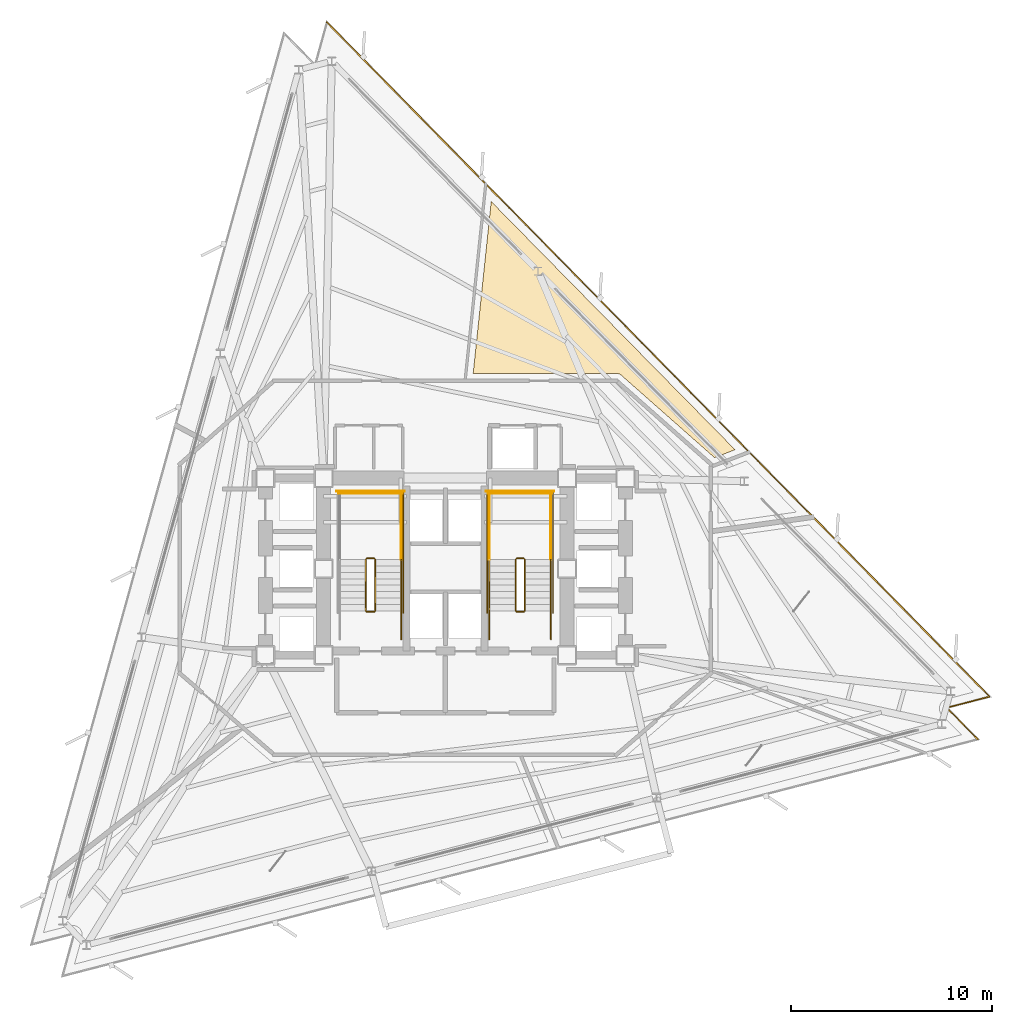
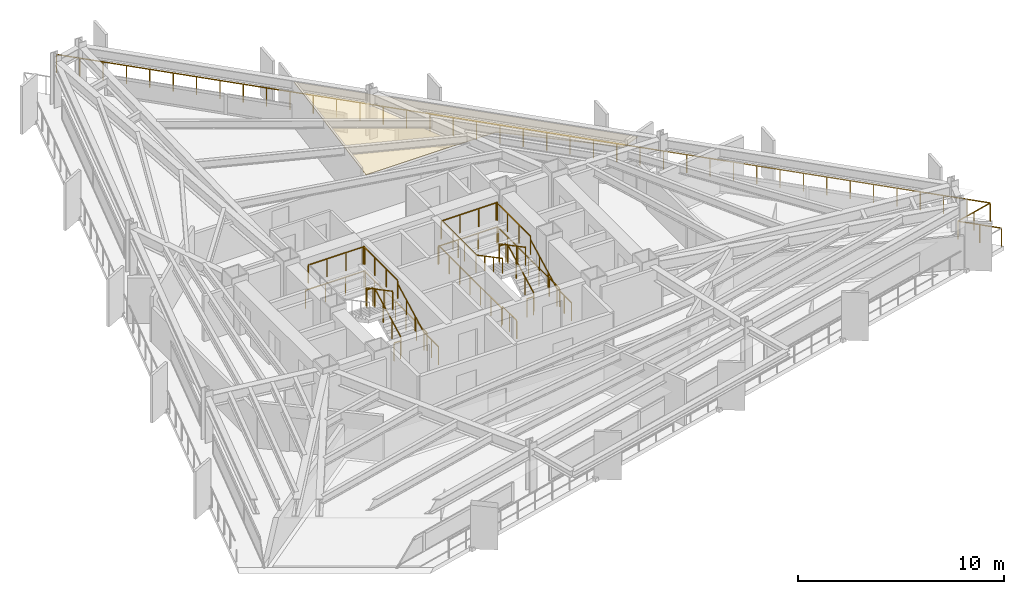
# One storey, part 10 of 11: 25 railings, 1 covering.
"""IFC4 building model written with IfcOpenShell, lengths in metres."""

from ifc_helpers import new_model, si_unit, direction, frame, origin, origin_2d, place, context, subcontext, project, spatial, polyline, rectangle, outline, extrude, material, layer, layer_set, type_object, element, save


model = new_model("IFC4")

# Units and contexts
model_context = context("Model", 3, precision=1e-05, world=origin(), true_north=direction((0.0, 1.0)))
body_context = subcontext(model_context, "Body", "Model", "MODEL_VIEW")
ifc_project = project(units=[si_unit("LENGTHUNIT", "METRE"), si_unit("AREAUNIT", "SQUARE_METRE"), si_unit("VOLUMEUNIT", "CUBIC_METRE"), si_unit("PLANEANGLEUNIT", "RADIAN"), si_unit("MASSUNIT", "GRAM", prefix="KILO")], contexts=[model_context])

# Site, building, storey
site_placement = place(None, origin())
site = spatial("IfcSite", under=ifc_project, at=site_placement, CompositionType="ELEMENT")
building_placement = place(site_placement, origin())
building = spatial("IfcBuilding", under=site, at=building_placement, Name="Rocaltana Carrier Exchange", CompositionType="ELEMENT")
storey_placement = place(building_placement, frame((0.0, 0.0, 97.760009765625)))
storey = spatial("IfcBuildingStorey", under=building, at=storey_placement, Name="L30", CompositionType="ELEMENT", Elevation=97.760009765625)

# Covering
ifc_material_1 = material(Name="Mineral Fibre & Powder-Coated Aluminium", Category="aluminium")
ifc_layer_1 = layer(ifc_material_1, 0.044921875)
ifc_layer_set_1 = layer_set([ifc_layer_1], Name="Mineral Fibre & Powder-Coated Aluminium")
covering_type = type_object("IfcCoveringType", Name="Micro-Perforated Acoustic Ceiling 45", PredefinedType="CEILING", material=ifc_layer_set_1)
covering_placement = place(storey_placement, frame((0.0, 0.0, 1.94287109375)))
element("IfcCovering", 1, at=covering_placement, inside=storey, type_object=covering_type, Name="L30 Network Engineering Studio Acoustic Ceiling", PredefinedType="CEILING", context=body_context, shape_type="SweptSolid", body=[
    extrude(outline(polyline([(13.379638671875, 5.521484375), (8.73828125, 9.619873046875), (8.727294921875, 9.629150390625), (8.720703125, 9.63427734375), (8.697265625, 9.651123046875), (8.690185546875, 9.655517578125), (8.6650390625, 9.669921875), (8.65771484375, 9.673583984375), (8.631103515625, 9.68505859375), (8.62353515625, 9.68798828125), (8.595947265625, 9.697021484375), (8.587890625, 9.698974609375), (8.5595703125, 9.704833984375), (8.551513671875, 9.706298828125), (8.522705078125, 9.709228515625), (8.514404296875, 9.709716796875), (8.5, 9.7099609375), (1.382568359375, 9.7099609375), (2.27978515625, 18.2470703125), (14.400146484375, 5.913330078125), (13.379638671875, 5.521484375)])), origin(), (0.0, 0.0, 1.0), 0.045166015625),
])

# Railings
ifc_material_2 = material(Name="Brushed Architectural Stainless Tube", Category="steel")
ifc_layer_2 = layer(ifc_material_2, 0.048095703125)
ifc_layer_set_2 = layer_set([ifc_layer_2], Name="Brushed Architectural Stainless Tube")
railing_type_1 = type_object("IfcRailingType", Name="Stair Wall Handrail 920", PredefinedType="HANDRAIL", material=ifc_layer_set_2)
for number, where, name in (
    (2, (-2.18994140625, -2.10009765625, 0.1689453125), "L30 ST-1 stair handrail 1"),
    (3, (5.25, -2.10009765625, 0.1689453125), "L30 ST-2 stair handrail 1"),
):
    element("IfcRailing", number, at=place(storey_placement, frame(where)), inside=storey, type_object=railing_type_1, Name=name, PredefinedType="HANDRAIL", context=body_context, shape_type="SweptSolid", body=[
        extrude(rectangle(XDim=0.048095703125, YDim=0.048095703125, at=origin_2d()), frame((0.0, 0.0, 0.8759765625), z_axis=(0.0, 0.884394423565, 0.466740295633), x_axis=(-1.0, 0.0, 0.0)), (0.0, 0.0, 1.0), 2.894775390625),
        extrude(rectangle(XDim=0.0419921875, YDim=0.0419921875, at=origin_2d()), origin(), (0.0, 0.0, 1.0), 0.851806640625),
        extrude(rectangle(XDim=0.0419921875, YDim=0.0419921875, at=origin_2d()), frame((0.0, 0.853271484375, 0.450439453125)), (0.0, 0.0, 1.0), 0.851806640625),
        extrude(rectangle(XDim=0.0419921875, YDim=0.0419921875, at=origin_2d()), frame((0.0, 1.706787109375, 0.900634765625)), (0.0, 0.0, 1.0), 0.851806640625),
        extrude(rectangle(XDim=0.0419921875, YDim=0.0419921875, at=origin_2d()), frame((0.0, 2.56005859375, 1.35107421875)), (0.0, 0.0, 1.0), 0.851806640625),
    ])
railing_1_placement = place(storey_placement, frame((2.18994140625, 0.4599609375, 1.68896484375)))
element("IfcRailing", 4, at=railing_1_placement, inside=storey, type_object=railing_type_1, Name="L30 ST-2 stair handrail 2", PredefinedType="HANDRAIL", context=body_context, shape_type="SweptSolid", body=[
    extrude(rectangle(XDim=0.048095703125, YDim=0.048095703125, at=origin_2d()), frame((0.0, 0.0, 0.8759765625), z_axis=(0.0, -0.884394423565, 0.466740295633), x_axis=(1.0, 0.0, 0.0)), (0.0, 0.0, 1.0), 2.894775390625),
    extrude(rectangle(XDim=0.0419921875, YDim=0.0419921875, at=origin_2d()), origin(), (0.0, 0.0, 1.0), 0.851806640625),
    extrude(rectangle(XDim=0.0419921875, YDim=0.0419921875, at=origin_2d()), frame((0.0, -0.853271484375, 0.450439453125)), (0.0, 0.0, 1.0), 0.851806640625),
    extrude(rectangle(XDim=0.0419921875, YDim=0.0419921875, at=origin_2d()), frame((0.0, -1.706787109375, 0.900634765625)), (0.0, 0.0, 1.0), 0.851806640625),
    extrude(rectangle(XDim=0.0419921875, YDim=0.0419921875, at=origin_2d()), frame((0.0, -2.56005859375, 1.35107421875)), (0.0, 0.0, 1.0), 0.851806640625),
])
ifc_material_3 = material(Name="Powder-Coated Aluminium 6063-T6", Category="aluminium")
ifc_layer_3 = layer(ifc_material_3, 0.048095703125)
ifc_layer_set_3 = layer_set([ifc_layer_3], Name="Powder-Coated Aluminium 6063-T6")
railing_type_2 = type_object("IfcRailingType", Name="Stair Well Guardrail 1100", PredefinedType="GUARDRAIL", material=ifc_layer_set_3)
railing_2_placement = place(storey_placement, frame((-3.489990234375, -2.10009765625, 0.1689453125)))
element("IfcRailing", 5, at=railing_2_placement, inside=storey, type_object=railing_type_2, Name="L30 ST-1 stair guard 1", PredefinedType="GUARDRAIL", context=body_context, shape_type="SweptSolid", body=[
    extrude(rectangle(XDim=0.048095703125, YDim=0.048095703125, at=origin_2d()), frame((0.0, 0.0, 1.076171875), z_axis=(0.0, 0.884394423565, 0.466740295633), x_axis=(-1.0, 0.0, 0.0)), (0.0, 0.0, 1.0), 2.894775390625),
    extrude(rectangle(XDim=0.0419921875, YDim=0.0419921875, at=origin_2d()), origin(), (0.0, 0.0, 1.0), 1.052001953125),
    extrude(rectangle(XDim=0.0419921875, YDim=0.0419921875, at=origin_2d()), frame((0.0, 0.853271484375, 0.450439453125)), (0.0, 0.0, 1.0), 1.052001953125),
    extrude(rectangle(XDim=0.0419921875, YDim=0.0419921875, at=origin_2d()), frame((0.0, 1.706787109375, 0.900634765625)), (0.0, 0.0, 1.0), 1.052001953125),
    extrude(rectangle(XDim=0.0419921875, YDim=0.0419921875, at=origin_2d()), frame((0.0, 2.56005859375, 1.35107421875)), (0.0, 0.0, 1.0), 1.052001953125),
])
railing_3_placement = place(storey_placement, frame((-3.5400390625, 0.510009765625, 1.52001953125)))
element("IfcRailing", 6, at=railing_3_placement, inside=storey, type_object=railing_type_2, Name="L30 ST-1 stair guard 2", PredefinedType="GUARDRAIL", context=body_context, shape_type="SweptSolid", body=[
    extrude(rectangle(XDim=0.048095703125, YDim=0.048095703125, at=origin_2d()), frame((0.0, 0.0, 1.076171875), z_axis=(-1.0, 0.0, 0.0), x_axis=(0.0, -1.0, 0.0)), (0.0, 0.0, 1.0), 0.35986328125),
    extrude(rectangle(XDim=0.0419921875, YDim=0.0419921875, at=origin_2d()), origin(), (0.0, 0.0, 1.0), 1.052001953125),
    extrude(rectangle(XDim=0.0419921875, YDim=0.0419921875, at=origin_2d()), frame((-0.35986328125, 0.0, 0.0)), (0.0, 0.0, 1.0), 1.052001953125),
])
railing_4_placement = place(storey_placement, frame((-2.18994140625, 0.4599609375, 1.52001953125)))
element("IfcRailing", 7, at=railing_4_placement, inside=storey, type_object=railing_type_2, Name="L30 ST-1 stair guard 3", PredefinedType="GUARDRAIL", context=body_context, shape_type="SweptSolid", body=[
    extrude(rectangle(XDim=0.048095703125, YDim=0.048095703125, at=origin_2d()), frame((0.0, 0.0, 1.076171875), z_axis=(0.0, 1.0, 0.0), x_axis=(-1.0, 0.0, 0.0)), (0.0, 0.0, 1.0), 3.340087890625),
    extrude(rectangle(XDim=0.0419921875, YDim=0.0419921875, at=origin_2d()), origin(), (0.0, 0.0, 1.0), 1.052001953125),
    extrude(rectangle(XDim=0.0419921875, YDim=0.0419921875, at=origin_2d()), frame((0.0, 1.11328125, 0.0)), (0.0, 0.0, 1.0), 1.052001953125),
    extrude(rectangle(XDim=0.0419921875, YDim=0.0419921875, at=origin_2d()), frame((0.0, 2.226806640625, 0.0)), (0.0, 0.0, 1.0), 1.052001953125),
    extrude(rectangle(XDim=0.0419921875, YDim=0.0419921875, at=origin_2d()), frame((0.0, 3.340087890625, 0.0)), (0.0, 0.0, 1.0), 1.052001953125),
])
railing_5_placement = place(storey_placement, frame((-2.139892578125, 3.75, 1.52001953125)))
element("IfcRailing", 8, at=railing_5_placement, inside=storey, type_object=railing_type_2, Name="L30 ST-1 stair guard 5", PredefinedType="GUARDRAIL", context=body_context, shape_type="SweptSolid", body=[
    extrude(rectangle(XDim=0.048095703125, YDim=0.048095703125, at=origin_2d()), frame((0.0, 0.0, 1.076171875), z_axis=(-1.0, 0.0, 0.0), x_axis=(0.0, -1.0, 0.0)), (0.0, 0.0, 1.0), 3.16015625),
    extrude(rectangle(XDim=0.0419921875, YDim=0.0419921875, at=origin_2d()), origin(), (0.0, 0.0, 1.0), 1.052001953125),
    extrude(rectangle(XDim=0.0419921875, YDim=0.0419921875, at=origin_2d()), frame((-1.053466796875, 0.0, 0.0)), (0.0, 0.0, 1.0), 1.052001953125),
    extrude(rectangle(XDim=0.0419921875, YDim=0.0419921875, at=origin_2d()), frame((-2.106689453125, 0.0, 0.0)), (0.0, 0.0, 1.0), 1.052001953125),
    extrude(rectangle(XDim=0.0419921875, YDim=0.0419921875, at=origin_2d()), frame((-3.16015625, 0.0, 0.0)), (0.0, 0.0, 1.0), 1.052001953125),
])
railing_6_placement = place(storey_placement, frame((-3.949951171875, 0.4599609375, 1.68896484375)))
element("IfcRailing", 9, at=railing_6_placement, inside=storey, type_object=railing_type_2, Name="L30 ST-1 stair guard 6", PredefinedType="GUARDRAIL", context=body_context, shape_type="SweptSolid", body=[
    extrude(rectangle(XDim=0.048095703125, YDim=0.048095703125, at=origin_2d()), frame((0.0, 0.0, 1.076171875), z_axis=(0.0, -0.884394423565, 0.466740295633), x_axis=(1.0, 0.0, 0.0)), (0.0, 0.0, 1.0), 2.894775390625),
    extrude(rectangle(XDim=0.0419921875, YDim=0.0419921875, at=origin_2d()), origin(), (0.0, 0.0, 1.0), 1.052001953125),
    extrude(rectangle(XDim=0.0419921875, YDim=0.0419921875, at=origin_2d()), frame((0.0, -0.853271484375, 0.450439453125)), (0.0, 0.0, 1.0), 1.052001953125),
    extrude(rectangle(XDim=0.0419921875, YDim=0.0419921875, at=origin_2d()), frame((0.0, -1.706787109375, 0.900634765625)), (0.0, 0.0, 1.0), 1.052001953125),
    extrude(rectangle(XDim=0.0419921875, YDim=0.0419921875, at=origin_2d()), frame((0.0, -2.56005859375, 1.35107421875)), (0.0, 0.0, 1.0), 1.052001953125),
])
railing_7_placement = place(storey_placement, frame((-3.5400390625, -2.14990234375, 0.0)))
element("IfcRailing", 10, at=railing_7_placement, inside=storey, type_object=railing_type_2, Name="L30 ST-1 stair guard 7", PredefinedType="GUARDRAIL", context=body_context, shape_type="SweptSolid", body=[
    extrude(rectangle(XDim=0.048095703125, YDim=0.048095703125, at=origin_2d()), frame((0.0, 0.0, 1.076171875), z_axis=(-1.0, 0.0, 0.0), x_axis=(0.0, -1.0, 0.0)), (0.0, 0.0, 1.0), 0.35986328125),
    extrude(rectangle(XDim=0.0419921875, YDim=0.0419921875, at=origin_2d()), origin(), (0.0, 0.0, 1.0), 1.052001953125),
    extrude(rectangle(XDim=0.0419921875, YDim=0.0419921875, at=origin_2d()), frame((-0.35986328125, 0.0, 0.0)), (0.0, 0.0, 1.0), 1.052001953125),
])
railing_8_placement = place(storey_placement, frame((-2.18994140625, -3.5, 0.0)))
element("IfcRailing", 11, at=railing_8_placement, inside=storey, type_object=railing_type_2, Name="L30 ST-1 stair guard 8", PredefinedType="GUARDRAIL", context=body_context, shape_type="SweptSolid", body=[
    extrude(rectangle(XDim=0.048095703125, YDim=0.048095703125, at=origin_2d()), frame((0.0, 0.0, 1.076171875), z_axis=(0.0, 1.0, 0.0), x_axis=(-1.0, 0.0, 0.0)), (0.0, 0.0, 1.0), 1.39990234375),
    extrude(rectangle(XDim=0.0419921875, YDim=0.0419921875, at=origin_2d()), origin(), (0.0, 0.0, 1.0), 1.052001953125),
    extrude(rectangle(XDim=0.0419921875, YDim=0.0419921875, at=origin_2d()), frame((0.0, 0.699951171875, 0.0)), (0.0, 0.0, 1.0), 1.052001953125),
    extrude(rectangle(XDim=0.0419921875, YDim=0.0419921875, at=origin_2d()), frame((0.0, 1.39990234375, 0.0)), (0.0, 0.0, 1.0), 1.052001953125),
])
railing_9_placement = place(storey_placement, frame((-2.090087890625, -2.199951171875, 0.0)))
element("IfcRailing", 12, at=railing_9_placement, inside=storey, type_object=railing_type_2, Name="L30 ST-1 stair guard 10", PredefinedType="GUARDRAIL", context=body_context, shape_type="SweptSolid", body=[
    extrude(rectangle(XDim=0.048095703125, YDim=0.048095703125, at=origin_2d()), frame((0.0, 0.0, 1.076171875), z_axis=(0.0, 1.0, 0.0), x_axis=(-1.0, 0.0, 0.0)), (0.0, 0.0, 1.0), 6.099853515625),
    extrude(rectangle(XDim=0.0419921875, YDim=0.0419921875, at=origin_2d()), origin(), (0.0, 0.0, 1.0), 1.052001953125),
    extrude(rectangle(XDim=0.0419921875, YDim=0.0419921875, at=origin_2d()), frame((0.0, 1.0166015625, 0.0)), (0.0, 0.0, 1.0), 1.052001953125),
    extrude(rectangle(XDim=0.0419921875, YDim=0.0419921875, at=origin_2d()), frame((0.0, 2.033203125, 0.0)), (0.0, 0.0, 1.0), 1.052001953125),
    extrude(rectangle(XDim=0.0419921875, YDim=0.0419921875, at=origin_2d()), frame((0.0, 3.0498046875, 0.0)), (0.0, 0.0, 1.0), 1.052001953125),
    extrude(rectangle(XDim=0.0419921875, YDim=0.0419921875, at=origin_2d()), frame((0.0, 4.066650390625, 0.0)), (0.0, 0.0, 1.0), 1.052001953125),
    extrude(rectangle(XDim=0.0419921875, YDim=0.0419921875, at=origin_2d()), frame((0.0, 5.083251953125, 0.0)), (0.0, 0.0, 1.0), 1.052001953125),
    extrude(rectangle(XDim=0.0419921875, YDim=0.0419921875, at=origin_2d()), frame((0.0, 6.099853515625, 0.0)), (0.0, 0.0, 1.0), 1.052001953125),
])
railing_10_placement = place(storey_placement, frame((-2.0400390625, 3.85009765625, 0.0)))
element("IfcRailing", 13, at=railing_10_placement, inside=storey, type_object=railing_type_2, Name="L30 ST-1 stair guard 12", PredefinedType="GUARDRAIL", context=body_context, shape_type="SweptSolid", body=[
    extrude(rectangle(XDim=0.048095703125, YDim=0.048095703125, at=origin_2d()), frame((0.0, 0.0, 1.076171875), z_axis=(-1.0, 0.0, 0.0), x_axis=(0.0, -1.0, 0.0)), (0.0, 0.0, 1.0), 3.35986328125),
    extrude(rectangle(XDim=0.0419921875, YDim=0.0419921875, at=origin_2d()), origin(), (0.0, 0.0, 1.0), 1.052001953125),
    extrude(rectangle(XDim=0.0419921875, YDim=0.0419921875, at=origin_2d()), frame((-1.119873046875, 0.0, 0.0)), (0.0, 0.0, 1.0), 1.052001953125),
    extrude(rectangle(XDim=0.0419921875, YDim=0.0419921875, at=origin_2d()), frame((-2.239990234375, 0.0, 0.0)), (0.0, 0.0, 1.0), 1.052001953125),
    extrude(rectangle(XDim=0.0419921875, YDim=0.0419921875, at=origin_2d()), frame((-3.35986328125, 0.0, 0.0)), (0.0, 0.0, 1.0), 1.052001953125),
])
railing_11_placement = place(storey_placement, frame((3.949951171875, -2.10009765625, 0.1689453125)))
element("IfcRailing", 14, at=railing_11_placement, inside=storey, type_object=railing_type_2, Name="L30 ST-2 stair guard 1", PredefinedType="GUARDRAIL", context=body_context, shape_type="SweptSolid", body=[
    extrude(rectangle(XDim=0.048095703125, YDim=0.048095703125, at=origin_2d()), frame((0.0, 0.0, 1.076171875), z_axis=(0.0, 0.884394423565, 0.466740295633), x_axis=(-1.0, 0.0, 0.0)), (0.0, 0.0, 1.0), 2.894775390625),
    extrude(rectangle(XDim=0.0419921875, YDim=0.0419921875, at=origin_2d()), origin(), (0.0, 0.0, 1.0), 1.052001953125),
    extrude(rectangle(XDim=0.0419921875, YDim=0.0419921875, at=origin_2d()), frame((0.0, 0.853271484375, 0.450439453125)), (0.0, 0.0, 1.0), 1.052001953125),
    extrude(rectangle(XDim=0.0419921875, YDim=0.0419921875, at=origin_2d()), frame((0.0, 1.706787109375, 0.900634765625)), (0.0, 0.0, 1.0), 1.052001953125),
    extrude(rectangle(XDim=0.0419921875, YDim=0.0419921875, at=origin_2d()), frame((0.0, 2.56005859375, 1.35107421875)), (0.0, 0.0, 1.0), 1.052001953125),
])
railing_12_placement = place(storey_placement, frame((3.89990234375, 0.510009765625, 1.52001953125)))
element("IfcRailing", 15, at=railing_12_placement, inside=storey, type_object=railing_type_2, Name="L30 ST-2 stair guard 2", PredefinedType="GUARDRAIL", context=body_context, shape_type="SweptSolid", body=[
    extrude(rectangle(XDim=0.048095703125, YDim=0.048095703125, at=origin_2d()), frame((0.0, 0.0, 1.076171875), z_axis=(-1.0, 0.0, 0.0), x_axis=(0.0, -1.0, 0.0)), (0.0, 0.0, 1.0), 0.35986328125),
    extrude(rectangle(XDim=0.0419921875, YDim=0.0419921875, at=origin_2d()), origin(), (0.0, 0.0, 1.0), 1.052001953125),
    extrude(rectangle(XDim=0.0419921875, YDim=0.0419921875, at=origin_2d()), frame((-0.35986328125, 0.0, 0.0)), (0.0, 0.0, 1.0), 1.052001953125),
])
for number, where, name in (
    (16, (5.25, 0.4599609375, 1.52001953125), "L30 ST-2 stair guard 3"),
    (17, (2.18994140625, 0.4599609375, 1.52001953125), "L30 ST-2 stair guard 4"),
):
    element("IfcRailing", number, at=place(storey_placement, frame(where)), inside=storey, type_object=railing_type_2, Name=name, PredefinedType="GUARDRAIL", context=body_context, shape_type="SweptSolid", body=[
        extrude(rectangle(XDim=0.048095703125, YDim=0.048095703125, at=origin_2d()), frame((0.0, 0.0, 1.076171875), z_axis=(0.0, 1.0, 0.0), x_axis=(-1.0, 0.0, 0.0)), (0.0, 0.0, 1.0), 3.340087890625),
        extrude(rectangle(XDim=0.0419921875, YDim=0.0419921875, at=origin_2d()), origin(), (0.0, 0.0, 1.0), 1.052001953125),
        extrude(rectangle(XDim=0.0419921875, YDim=0.0419921875, at=origin_2d()), frame((0.0, 1.11328125, 0.0)), (0.0, 0.0, 1.0), 1.052001953125),
        extrude(rectangle(XDim=0.0419921875, YDim=0.0419921875, at=origin_2d()), frame((0.0, 2.226806640625, 0.0)), (0.0, 0.0, 1.0), 1.052001953125),
        extrude(rectangle(XDim=0.0419921875, YDim=0.0419921875, at=origin_2d()), frame((0.0, 3.340087890625, 0.0)), (0.0, 0.0, 1.0), 1.052001953125),
    ])
railing_13_placement = place(storey_placement, frame((5.300048828125, 3.75, 1.52001953125)))
element("IfcRailing", 18, at=railing_13_placement, inside=storey, type_object=railing_type_2, Name="L30 ST-2 stair guard 5", PredefinedType="GUARDRAIL", context=body_context, shape_type="SweptSolid", body=[
    extrude(rectangle(XDim=0.048095703125, YDim=0.048095703125, at=origin_2d()), frame((0.0, 0.0, 1.076171875), z_axis=(-1.0, 0.0, 0.0), x_axis=(0.0, -1.0, 0.0)), (0.0, 0.0, 1.0), 3.16015625),
    extrude(rectangle(XDim=0.0419921875, YDim=0.0419921875, at=origin_2d()), origin(), (0.0, 0.0, 1.0), 1.052001953125),
    extrude(rectangle(XDim=0.0419921875, YDim=0.0419921875, at=origin_2d()), frame((-1.053466796875, 0.0, 0.0)), (0.0, 0.0, 1.0), 1.052001953125),
    extrude(rectangle(XDim=0.0419921875, YDim=0.0419921875, at=origin_2d()), frame((-2.106689453125, 0.0, 0.0)), (0.0, 0.0, 1.0), 1.052001953125),
    extrude(rectangle(XDim=0.0419921875, YDim=0.0419921875, at=origin_2d()), frame((-3.16015625, 0.0, 0.0)), (0.0, 0.0, 1.0), 1.052001953125),
])
railing_14_placement = place(storey_placement, frame((3.489990234375, 0.4599609375, 1.68896484375)))
element("IfcRailing", 19, at=railing_14_placement, inside=storey, type_object=railing_type_2, Name="L30 ST-2 stair guard 6", PredefinedType="GUARDRAIL", context=body_context, shape_type="SweptSolid", body=[
    extrude(rectangle(XDim=0.048095703125, YDim=0.048095703125, at=origin_2d()), frame((0.0, 0.0, 1.076171875), z_axis=(0.0, -0.884394423565, 0.466740295633), x_axis=(1.0, 0.0, 0.0)), (0.0, 0.0, 1.0), 2.894775390625),
    extrude(rectangle(XDim=0.0419921875, YDim=0.0419921875, at=origin_2d()), origin(), (0.0, 0.0, 1.0), 1.052001953125),
    extrude(rectangle(XDim=0.0419921875, YDim=0.0419921875, at=origin_2d()), frame((0.0, -0.853271484375, 0.450439453125)), (0.0, 0.0, 1.0), 1.052001953125),
    extrude(rectangle(XDim=0.0419921875, YDim=0.0419921875, at=origin_2d()), frame((0.0, -1.706787109375, 0.900634765625)), (0.0, 0.0, 1.0), 1.052001953125),
    extrude(rectangle(XDim=0.0419921875, YDim=0.0419921875, at=origin_2d()), frame((0.0, -2.56005859375, 1.35107421875)), (0.0, 0.0, 1.0), 1.052001953125),
])
railing_15_placement = place(storey_placement, frame((3.89990234375, -2.14990234375, 0.0)))
element("IfcRailing", 20, at=railing_15_placement, inside=storey, type_object=railing_type_2, Name="L30 ST-2 stair guard 7", PredefinedType="GUARDRAIL", context=body_context, shape_type="SweptSolid", body=[
    extrude(rectangle(XDim=0.048095703125, YDim=0.048095703125, at=origin_2d()), frame((0.0, 0.0, 1.076171875), z_axis=(-1.0, 0.0, 0.0), x_axis=(0.0, -1.0, 0.0)), (0.0, 0.0, 1.0), 0.35986328125),
    extrude(rectangle(XDim=0.0419921875, YDim=0.0419921875, at=origin_2d()), origin(), (0.0, 0.0, 1.0), 1.052001953125),
    extrude(rectangle(XDim=0.0419921875, YDim=0.0419921875, at=origin_2d()), frame((-0.35986328125, 0.0, 0.0)), (0.0, 0.0, 1.0), 1.052001953125),
])
for number, where, name in (
    (21, (5.25, -3.5, 0.0), "L30 ST-2 stair guard 8"),
    (22, (2.18994140625, -3.5, 0.0), "L30 ST-2 stair guard 9"),
):
    element("IfcRailing", number, at=place(storey_placement, frame(where)), inside=storey, type_object=railing_type_2, Name=name, PredefinedType="GUARDRAIL", context=body_context, shape_type="SweptSolid", body=[
        extrude(rectangle(XDim=0.048095703125, YDim=0.048095703125, at=origin_2d()), frame((0.0, 0.0, 1.076171875), z_axis=(0.0, 1.0, 0.0), x_axis=(-1.0, 0.0, 0.0)), (0.0, 0.0, 1.0), 1.39990234375),
        extrude(rectangle(XDim=0.0419921875, YDim=0.0419921875, at=origin_2d()), origin(), (0.0, 0.0, 1.0), 1.052001953125),
        extrude(rectangle(XDim=0.0419921875, YDim=0.0419921875, at=origin_2d()), frame((0.0, 0.699951171875, 0.0)), (0.0, 0.0, 1.0), 1.052001953125),
        extrude(rectangle(XDim=0.0419921875, YDim=0.0419921875, at=origin_2d()), frame((0.0, 1.39990234375, 0.0)), (0.0, 0.0, 1.0), 1.052001953125),
    ])
for number, where, name in (
    (23, (5.35009765625, -2.199951171875, 0.0), "L30 ST-2 stair guard 10"),
    (24, (2.090087890625, -2.199951171875, 0.0), "L30 ST-2 stair guard 11"),
):
    element("IfcRailing", number, at=place(storey_placement, frame(where)), inside=storey, type_object=railing_type_2, Name=name, PredefinedType="GUARDRAIL", context=body_context, shape_type="SweptSolid", body=[
        extrude(rectangle(XDim=0.048095703125, YDim=0.048095703125, at=origin_2d()), frame((0.0, 0.0, 1.076171875), z_axis=(0.0, 1.0, 0.0), x_axis=(-1.0, 0.0, 0.0)), (0.0, 0.0, 1.0), 6.099853515625),
        extrude(rectangle(XDim=0.0419921875, YDim=0.0419921875, at=origin_2d()), origin(), (0.0, 0.0, 1.0), 1.052001953125),
        extrude(rectangle(XDim=0.0419921875, YDim=0.0419921875, at=origin_2d()), frame((0.0, 1.0166015625, 0.0)), (0.0, 0.0, 1.0), 1.052001953125),
        extrude(rectangle(XDim=0.0419921875, YDim=0.0419921875, at=origin_2d()), frame((0.0, 2.033203125, 0.0)), (0.0, 0.0, 1.0), 1.052001953125),
        extrude(rectangle(XDim=0.0419921875, YDim=0.0419921875, at=origin_2d()), frame((0.0, 3.0498046875, 0.0)), (0.0, 0.0, 1.0), 1.052001953125),
        extrude(rectangle(XDim=0.0419921875, YDim=0.0419921875, at=origin_2d()), frame((0.0, 4.066650390625, 0.0)), (0.0, 0.0, 1.0), 1.052001953125),
        extrude(rectangle(XDim=0.0419921875, YDim=0.0419921875, at=origin_2d()), frame((0.0, 5.083251953125, 0.0)), (0.0, 0.0, 1.0), 1.052001953125),
        extrude(rectangle(XDim=0.0419921875, YDim=0.0419921875, at=origin_2d()), frame((0.0, 6.099853515625, 0.0)), (0.0, 0.0, 1.0), 1.052001953125),
    ])
railing_16_placement = place(storey_placement, frame((5.39990234375, 3.85009765625, 0.0)))
element("IfcRailing", 25, at=railing_16_placement, inside=storey, type_object=railing_type_2, Name="L30 ST-2 stair guard 12", PredefinedType="GUARDRAIL", context=body_context, shape_type="SweptSolid", body=[
    extrude(rectangle(XDim=0.048095703125, YDim=0.048095703125, at=origin_2d()), frame((0.0, 0.0, 1.076171875), z_axis=(-1.0, 0.0, 0.0), x_axis=(0.0, -1.0, 0.0)), (0.0, 0.0, 1.0), 3.35986328125),
    extrude(rectangle(XDim=0.0419921875, YDim=0.0419921875, at=origin_2d()), origin(), (0.0, 0.0, 1.0), 1.052001953125),
    extrude(rectangle(XDim=0.0419921875, YDim=0.0419921875, at=origin_2d()), frame((-1.119873046875, 0.0, 0.0)), (0.0, 0.0, 1.0), 1.052001953125),
    extrude(rectangle(XDim=0.0419921875, YDim=0.0419921875, at=origin_2d()), frame((-2.239990234375, 0.0, 0.0)), (0.0, 0.0, 1.0), 1.052001953125),
    extrude(rectangle(XDim=0.0419921875, YDim=0.0419921875, at=origin_2d()), frame((-3.35986328125, 0.0, 0.0)), (0.0, 0.0, 1.0), 1.052001953125),
])
ifc_material_4 = material(Name="Powder-Coated Aluminium 6063-T6", Category="aluminium")
ifc_layer_4 = layer(ifc_material_4, 0.06005859375)
ifc_layer_set_4 = layer_set([ifc_layer_4], Name="Powder-Coated Aluminium 6063-T6")
railing_type_3 = type_object("IfcRailingType", Name="Wind-Floor & Terrace Perimeter Guardrail 1100", PredefinedType="GUARDRAIL", material=ifc_layer_set_4)
railing_17_placement = place(storey_placement, frame((-5.88720703125, 27.156982421875, 0.0)))
element("IfcRailing", 26, at=railing_17_placement, inside=storey, type_object=railing_type_3, Name="L30 Perimeter Balcony Guardrail 3", PredefinedType="GUARDRAIL", context=body_context, shape_type="SweptSolid", body=[
    extrude(rectangle(XDim=0.048095703125, YDim=0.048095703125, at=origin_2d()), frame((0.0, 0.0, 1.076171875), z_axis=(0.7009130267, -0.713246751835, 0.0), x_axis=(0.713246751835, 0.7009130267, 0.0)), (0.0, 0.0, 1.0), 46.9921875),
    extrude(rectangle(XDim=0.048095703125, YDim=0.048095703125, at=origin_2d()), frame((32.9375, -33.51708984375, 1.076171875), z_axis=(-0.968152477167, -0.250361300835, 0.0), x_axis=(0.250361300835, -0.968152477167, 0.0)), (0.0, 0.0, 1.0), 2.199951171875),
    extrude(rectangle(XDim=0.048095703125, YDim=0.048095703125, at=origin_2d()), frame((30.8076171875, -34.06787109375, 1.076171875), z_axis=(0.700920820206, -0.713239093012, 0.0), x_axis=(0.713239093012, 0.700920820206, 0.0)), (0.0, 0.0, 1.0), 2.199951171875),
    extrude(rectangle(XDim=0.0419921875, YDim=0.0419921875, at=origin_2d()), origin(), (0.0, 0.0, 1.0), 1.052001953125),
    extrude(rectangle(XDim=0.0419921875, YDim=0.0419921875, at=origin_2d()), frame((0.823486328125, -0.837890625, 0.0)), (0.0, 0.0, 1.0), 1.052001953125),
    extrude(rectangle(XDim=0.0419921875, YDim=0.0419921875, at=origin_2d()), frame((1.64697265625, -1.67578125, 0.0)), (0.0, 0.0, 1.0), 1.052001953125),
    extrude(rectangle(XDim=0.0419921875, YDim=0.0419921875, at=origin_2d()), frame((2.47021484375, -2.513671875, 0.0)), (0.0, 0.0, 1.0), 1.052001953125),
    extrude(rectangle(XDim=0.0419921875, YDim=0.0419921875, at=origin_2d()), frame((3.293701171875, -3.351806640625, 0.0)), (0.0, 0.0, 1.0), 1.052001953125),
    extrude(rectangle(XDim=0.0419921875, YDim=0.0419921875, at=origin_2d()), frame((4.1171875, -4.189697265625, 0.0)), (0.0, 0.0, 1.0), 1.052001953125),
    extrude(rectangle(XDim=0.0419921875, YDim=0.0419921875, at=origin_2d()), frame((4.940673828125, -5.027587890625, 0.0)), (0.0, 0.0, 1.0), 1.052001953125),
    extrude(rectangle(XDim=0.0419921875, YDim=0.0419921875, at=origin_2d()), frame((5.76416015625, -5.865478515625, 0.0)), (0.0, 0.0, 1.0), 1.052001953125),
    extrude(rectangle(XDim=0.0419921875, YDim=0.0419921875, at=origin_2d()), frame((6.58740234375, -6.703369140625, 0.0)), (0.0, 0.0, 1.0), 1.052001953125),
    extrude(rectangle(XDim=0.0419921875, YDim=0.0419921875, at=origin_2d()), frame((7.410888671875, -7.541259765625, 0.0)), (0.0, 0.0, 1.0), 1.052001953125),
    extrude(rectangle(XDim=0.0419921875, YDim=0.0419921875, at=origin_2d()), frame((8.234375, -8.37939453125, 0.0)), (0.0, 0.0, 1.0), 1.052001953125),
    extrude(rectangle(XDim=0.0419921875, YDim=0.0419921875, at=origin_2d()), frame((9.057861328125, -9.21728515625, 0.0)), (0.0, 0.0, 1.0), 1.052001953125),
    extrude(rectangle(XDim=0.0419921875, YDim=0.0419921875, at=origin_2d()), frame((9.88134765625, -10.05517578125, 0.0)), (0.0, 0.0, 1.0), 1.052001953125),
    extrude(rectangle(XDim=0.0419921875, YDim=0.0419921875, at=origin_2d()), frame((10.70458984375, -10.89306640625, 0.0)), (0.0, 0.0, 1.0), 1.052001953125),
    extrude(rectangle(XDim=0.0419921875, YDim=0.0419921875, at=origin_2d()), frame((11.528076171875, -11.73095703125, 0.0)), (0.0, 0.0, 1.0), 1.052001953125),
    extrude(rectangle(XDim=0.0419921875, YDim=0.0419921875, at=origin_2d()), frame((12.3515625, -12.56884765625, 0.0)), (0.0, 0.0, 1.0), 1.052001953125),
    extrude(rectangle(XDim=0.0419921875, YDim=0.0419921875, at=origin_2d()), frame((13.175048828125, -13.40673828125, 0.0)), (0.0, 0.0, 1.0), 1.052001953125),
    extrude(rectangle(XDim=0.0419921875, YDim=0.0419921875, at=origin_2d()), frame((13.99853515625, -14.244873046875, 0.0)), (0.0, 0.0, 1.0), 1.052001953125),
    extrude(rectangle(XDim=0.0419921875, YDim=0.0419921875, at=origin_2d()), frame((14.82177734375, -15.082763671875, 0.0)), (0.0, 0.0, 1.0), 1.052001953125),
    extrude(rectangle(XDim=0.0419921875, YDim=0.0419921875, at=origin_2d()), frame((15.645263671875, -15.920654296875, 0.0)), (0.0, 0.0, 1.0), 1.052001953125),
    extrude(rectangle(XDim=0.0419921875, YDim=0.0419921875, at=origin_2d()), frame((16.46875, -16.758544921875, 0.0)), (0.0, 0.0, 1.0), 1.052001953125),
    extrude(rectangle(XDim=0.0419921875, YDim=0.0419921875, at=origin_2d()), frame((17.292236328125, -17.596435546875, 0.0)), (0.0, 0.0, 1.0), 1.052001953125),
    extrude(rectangle(XDim=0.0419921875, YDim=0.0419921875, at=origin_2d()), frame((18.11572265625, -18.434326171875, 0.0)), (0.0, 0.0, 1.0), 1.052001953125),
    extrude(rectangle(XDim=0.0419921875, YDim=0.0419921875, at=origin_2d()), frame((18.93896484375, -19.272216796875, 0.0)), (0.0, 0.0, 1.0), 1.052001953125),
    extrude(rectangle(XDim=0.0419921875, YDim=0.0419921875, at=origin_2d()), frame((19.762451171875, -20.1103515625, 0.0)), (0.0, 0.0, 1.0), 1.052001953125),
    extrude(rectangle(XDim=0.0419921875, YDim=0.0419921875, at=origin_2d()), frame((20.5859375, -20.9482421875, 0.0)), (0.0, 0.0, 1.0), 1.052001953125),
    extrude(rectangle(XDim=0.0419921875, YDim=0.0419921875, at=origin_2d()), frame((21.409423828125, -21.7861328125, 0.0)), (0.0, 0.0, 1.0), 1.052001953125),
    extrude(rectangle(XDim=0.0419921875, YDim=0.0419921875, at=origin_2d()), frame((22.23291015625, -22.6240234375, 0.0)), (0.0, 0.0, 1.0), 1.052001953125),
    extrude(rectangle(XDim=0.0419921875, YDim=0.0419921875, at=origin_2d()), frame((23.05615234375, -23.4619140625, 0.0)), (0.0, 0.0, 1.0), 1.052001953125),
    extrude(rectangle(XDim=0.0419921875, YDim=0.0419921875, at=origin_2d()), frame((23.879638671875, -24.2998046875, 0.0)), (0.0, 0.0, 1.0), 1.052001953125),
    extrude(rectangle(XDim=0.0419921875, YDim=0.0419921875, at=origin_2d()), frame((24.703125, -25.1376953125, 0.0)), (0.0, 0.0, 1.0), 1.052001953125),
    extrude(rectangle(XDim=0.0419921875, YDim=0.0419921875, at=origin_2d()), frame((25.526611328125, -25.975830078125, 0.0)), (0.0, 0.0, 1.0), 1.052001953125),
    extrude(rectangle(XDim=0.0419921875, YDim=0.0419921875, at=origin_2d()), frame((26.35009765625, -26.813720703125, 0.0)), (0.0, 0.0, 1.0), 1.052001953125),
    extrude(rectangle(XDim=0.0419921875, YDim=0.0419921875, at=origin_2d()), frame((27.17333984375, -27.651611328125, 0.0)), (0.0, 0.0, 1.0), 1.052001953125),
    extrude(rectangle(XDim=0.0419921875, YDim=0.0419921875, at=origin_2d()), frame((27.996826171875, -28.489501953125, 0.0)), (0.0, 0.0, 1.0), 1.052001953125),
    extrude(rectangle(XDim=0.0419921875, YDim=0.0419921875, at=origin_2d()), frame((28.8203125, -29.327392578125, 0.0)), (0.0, 0.0, 1.0), 1.052001953125),
    extrude(rectangle(XDim=0.0419921875, YDim=0.0419921875, at=origin_2d()), frame((29.643798828125, -30.165283203125, 0.0)), (0.0, 0.0, 1.0), 1.052001953125),
    extrude(rectangle(XDim=0.0419921875, YDim=0.0419921875, at=origin_2d()), frame((30.46728515625, -31.00341796875, 0.0)), (0.0, 0.0, 1.0), 1.052001953125),
    extrude(rectangle(XDim=0.0419921875, YDim=0.0419921875, at=origin_2d()), frame((31.29052734375, -31.84130859375, 0.0)), (0.0, 0.0, 1.0), 1.052001953125),
    extrude(rectangle(XDim=0.0419921875, YDim=0.0419921875, at=origin_2d()), frame((32.114013671875, -32.67919921875, 0.0)), (0.0, 0.0, 1.0), 1.052001953125),
    extrude(rectangle(XDim=0.0419921875, YDim=0.0419921875, at=origin_2d()), frame((32.9375, -33.51708984375, 0.0)), (0.0, 0.0, 1.0), 1.052001953125),
    extrude(rectangle(XDim=0.0419921875, YDim=0.0419921875, at=origin_2d()), frame((31.87255859375, -33.79248046875, 0.0)), (0.0, 0.0, 1.0), 1.052001953125),
    extrude(rectangle(XDim=0.0419921875, YDim=0.0419921875, at=origin_2d()), frame((30.8076171875, -34.06787109375, 0.0)), (0.0, 0.0, 1.0), 1.052001953125),
    extrude(rectangle(XDim=0.0419921875, YDim=0.0419921875, at=origin_2d()), frame((31.57861328125, -34.8525390625, 0.0)), (0.0, 0.0, 1.0), 1.052001953125),
    extrude(rectangle(XDim=0.0419921875, YDim=0.0419921875, at=origin_2d()), frame((32.349609375, -35.636962890625, 0.0)), (0.0, 0.0, 1.0), 1.052001953125),
])

save(model, "model.ifc")
